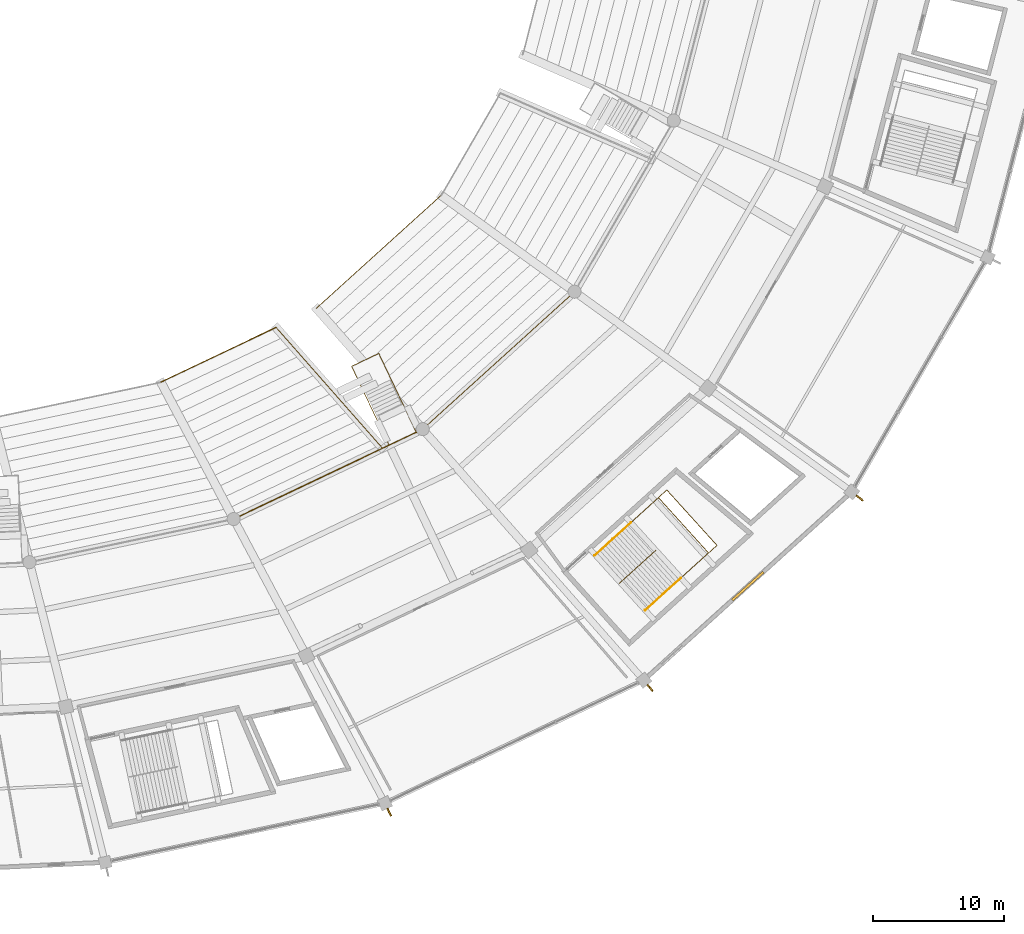
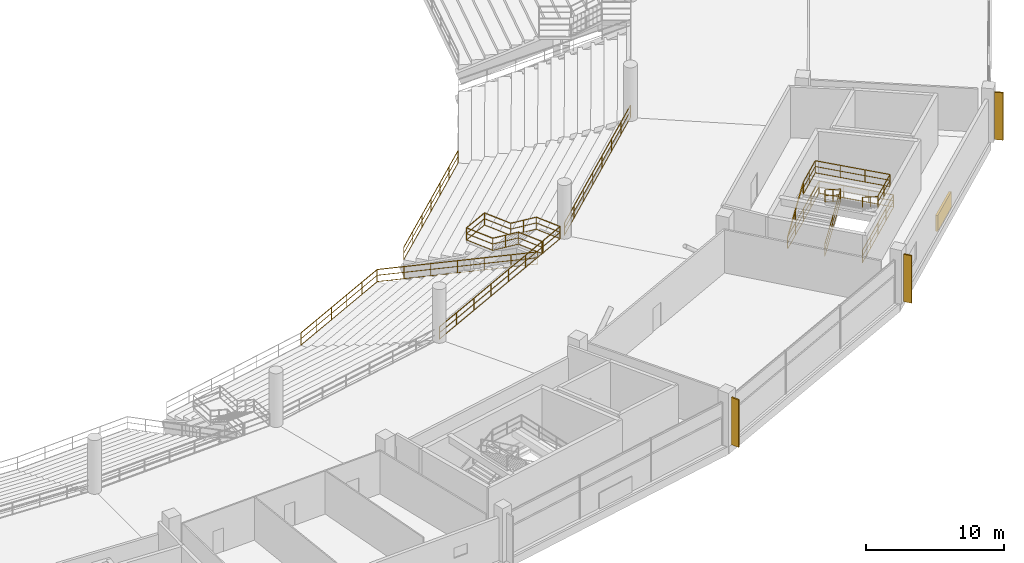
# One storey, part 148 of 156: 11 railings, 4 shading devices.
"""IFC4 building model written with IfcOpenShell, lengths in metres."""

from ifc_helpers import new_model, si_unit, direction, frame, origin, origin_2d, place, context, subcontext, project, spatial, rectangle, extrude, material, type_object, element, save


model = new_model("IFC4")

# Units and contexts
model_context = context("Model", 3, precision=1e-05, world=origin(), true_north=direction((0.0, 1.0)))
body_context = subcontext(model_context, "Body", "Model", "MODEL_VIEW")
ifc_project = project(units=[si_unit("LENGTHUNIT", "METRE"), si_unit("AREAUNIT", "SQUARE_METRE"), si_unit("VOLUMEUNIT", "CUBIC_METRE"), si_unit("PLANEANGLEUNIT", "RADIAN"), si_unit("MASSUNIT", "GRAM", prefix="KILO")], contexts=[model_context])

# Site, building, storey
site_placement = place(None, origin())
site = spatial("IfcSite", under=ifc_project, at=site_placement, CompositionType="ELEMENT")
building_placement = place(site_placement, origin())
building = spatial("IfcBuilding", under=site, at=building_placement, Name="Kazemori Nagisa Stadium", CompositionType="ELEMENT")
storey_placement = place(building_placement, frame((0.0, 0.0, 5.780029296875)))
storey = spatial("IfcBuildingStorey", under=building, at=storey_placement, Name="L01", CompositionType="ELEMENT", Elevation=5.780029296875)

# Shading devices
ifc_material_1 = material(Name="Aluminium 6063-T5 anodised", Category="aluminium")
shading_device_type_1 = type_object("IfcShadingDeviceType", Name="Fin_FN01", PredefinedType="USERDEFINED", material=ifc_material_1)
for number, where, z_axis, x_axis, name in (
    (1, (166.13232421875, 20.85546875, 0.0), (0.0, 0.0, 1.0), (0.433883739113, -0.900968867905, 0.0), "Aerodynamic wave shading fin L01-24"),
    (2, (186.068603515625, 30.350830078125, 0.0), (0.0, 0.0, 1.0), (0.623489801853, -0.781831482473, 0.0), "Aerodynamic wave shading fin L01-25"),
    (3, (202.085693359375, 44.861572265625, 0.0), (0.0, 0.0, 1.0), (0.781831482473, -0.623489801853, 0.0), "Aerodynamic wave shading fin L01-26"),
):
    element("IfcShadingDevice", number, at=place(storey_placement, frame(where, z_axis=z_axis, x_axis=x_axis)), inside=storey, type_object=shading_device_type_1, Name=name, ObjectType="FIN", PredefinedType="USERDEFINED", context=body_context, shape_type="SweptSolid", body=[
        extrude(rectangle(XDim=0.64990234375, YDim=0.1201171875, at=origin_2d()), origin(), (0.0, 0.0, 1.0), 4.199951171875),
    ])
shading_device_type_2 = type_object("IfcShadingDeviceType", Name="Louvre_LV01", PredefinedType="JALOUSIE", material=ifc_material_1)
shading_device_placement = place(storey_placement, frame((193.546630859375, 38.13671875, -0.010009765625), z_axis=(0.0, 0.0, 1.0), x_axis=(0.741350875443, 0.671117634607, 0.0)))
element("IfcShadingDevice", 4, at=shading_device_placement, inside=storey, type_object=shading_device_type_2, Name="Concourse ventilation louvre L01-B25", PredefinedType="JALOUSIE", context=body_context, shape_type="SweptSolid", body=[
    extrude(rectangle(XDim=3.199951171875, YDim=0.179931640625, at=origin_2d()), origin(), (0.0, 0.0, 1.0), 1.39990234375),
])

# Railings
ifc_material_2 = material(Name="Laminated safety glass and stainless steel SUS304", Category="steel")
railing_type_1 = type_object("IfcRailingType", Name="Rail_BAL", PredefinedType="BALUSTRADE", material=ifc_material_2)
railing_1_placement = place(storey_placement, frame((154.24755859375, 43.260986328125, 0.0)))
element("IfcRailing", 5, at=railing_1_placement, inside=storey, type_object=railing_type_1, Name="Concourse bowl balustrade L01-B24", PredefinedType="BALUSTRADE", context=body_context, shape_type="SweptSolid", body=[
    extrude(rectangle(XDim=0.050048828125, YDim=0.050048828125, at=origin_2d()), frame((0.0, 0.0, 1.09521484375), z_axis=(0.903211953517, 0.429194789139, 0.0), x_axis=(-0.429194789139, 0.903211953517, 0.0)), (0.0, 0.0, 1.0), 15.447265625),
    extrude(rectangle(XDim=0.03759765625, YDim=0.03759765625, at=origin_2d()), frame((0.0, 0.0, 0.58251953125), z_axis=(0.903211953517, 0.429194789139, 0.0), x_axis=(-0.429194789139, 0.903211953517, 0.0)), (0.0, 0.0, 1.0), 15.447265625),
    extrude(rectangle(XDim=0.03759765625, YDim=0.03759765625, at=origin_2d()), frame((0.0, 0.0, 0.02490234375), z_axis=(0.903211953517, 0.429194789139, 0.0), x_axis=(-0.429194789139, 0.903211953517, 0.0)), (0.0, 0.0, 1.0), 15.447265625),
    extrude(rectangle(XDim=0.044921875, YDim=0.044921875, at=origin_2d()), origin(), (0.0, 0.0, 1.0), 1.070068359375),
    extrude(rectangle(XDim=0.044921875, YDim=0.044921875, at=origin_2d()), frame((1.9931640625, 0.947021484375, 0.0)), (0.0, 0.0, 1.0), 1.070068359375),
    extrude(rectangle(XDim=0.044921875, YDim=0.044921875, at=origin_2d()), frame((3.986328125, 1.894287109375, 0.0)), (0.0, 0.0, 1.0), 1.070068359375),
    extrude(rectangle(XDim=0.044921875, YDim=0.044921875, at=origin_2d()), frame((5.9794921875, 2.84130859375, 0.0)), (0.0, 0.0, 1.0), 1.070068359375),
    extrude(rectangle(XDim=0.044921875, YDim=0.044921875, at=origin_2d()), frame((7.97265625, 3.78857421875, 0.0)), (0.0, 0.0, 1.0), 1.070068359375),
    extrude(rectangle(XDim=0.044921875, YDim=0.044921875, at=origin_2d()), frame((9.9658203125, 4.735595703125, 0.0)), (0.0, 0.0, 1.0), 1.070068359375),
    extrude(rectangle(XDim=0.044921875, YDim=0.044921875, at=origin_2d()), frame((11.958984375, 5.682861328125, 0.0)), (0.0, 0.0, 1.0), 1.070068359375),
    extrude(rectangle(XDim=0.044921875, YDim=0.044921875, at=origin_2d()), frame((13.9521484375, 6.6298828125, 0.0)), (0.0, 0.0, 1.0), 1.070068359375),
])
railing_2_placement = place(storey_placement, frame((168.696533203125, 50.126953125, 0.0)))
element("IfcRailing", 6, at=railing_2_placement, inside=storey, type_object=railing_type_1, Name="Concourse bowl balustrade L01-B25", PredefinedType="BALUSTRADE", context=body_context, shape_type="SweptSolid", body=[
    extrude(rectangle(XDim=0.050048828125, YDim=0.050048828125, at=origin_2d()), frame((0.0, 0.0, 1.09521484375), z_axis=(0.741349160152, 0.6711195294, 0.0), x_axis=(-0.6711195294, 0.741349160152, 0.0)), (0.0, 0.0, 1.0), 15.65380859375),
    extrude(rectangle(XDim=0.03759765625, YDim=0.03759765625, at=origin_2d()), frame((0.0, 0.0, 0.58251953125), z_axis=(0.741349160152, 0.6711195294, 0.0), x_axis=(-0.6711195294, 0.741349160152, 0.0)), (0.0, 0.0, 1.0), 15.65380859375),
    extrude(rectangle(XDim=0.03759765625, YDim=0.03759765625, at=origin_2d()), frame((0.0, 0.0, 0.02490234375), z_axis=(0.741349160152, 0.6711195294, 0.0), x_axis=(-0.6711195294, 0.741349160152, 0.0)), (0.0, 0.0, 1.0), 15.65380859375),
    extrude(rectangle(XDim=0.044921875, YDim=0.044921875, at=origin_2d()), origin(), (0.0, 0.0, 1.0), 1.070068359375),
    extrude(rectangle(XDim=0.044921875, YDim=0.044921875, at=origin_2d()), frame((1.657958984375, 1.500732421875, 0.0)), (0.0, 0.0, 1.0), 1.070068359375),
    extrude(rectangle(XDim=0.044921875, YDim=0.044921875, at=origin_2d()), frame((3.315673828125, 3.001708984375, 0.0)), (0.0, 0.0, 1.0), 1.070068359375),
    extrude(rectangle(XDim=0.044921875, YDim=0.044921875, at=origin_2d()), frame((4.9736328125, 4.50244140625, 0.0)), (0.0, 0.0, 1.0), 1.070068359375),
    extrude(rectangle(XDim=0.044921875, YDim=0.044921875, at=origin_2d()), frame((6.63134765625, 6.003173828125, 0.0)), (0.0, 0.0, 1.0), 1.070068359375),
    extrude(rectangle(XDim=0.044921875, YDim=0.044921875, at=origin_2d()), frame((8.289306640625, 7.50390625, 0.0)), (0.0, 0.0, 1.0), 1.070068359375),
    extrude(rectangle(XDim=0.044921875, YDim=0.044921875, at=origin_2d()), frame((9.947021484375, 9.0048828125, 0.0)), (0.0, 0.0, 1.0), 1.070068359375),
    extrude(rectangle(XDim=0.044921875, YDim=0.044921875, at=origin_2d()), frame((11.60498046875, 10.505615234375, 0.0)), (0.0, 0.0, 1.0), 1.070068359375),
])
ifc_material_3 = material(Name="Galvanised powder-coated steel", Category="steel")
railing_type_2 = type_object("IfcRailingType", Name="Rail_GUARD", PredefinedType="GUARDRAIL", material=ifc_material_3)
railing_3_placement = place(storey_placement, frame((181.87890625, 40.5205078125, 0.0)))
element("IfcRailing", 7, at=railing_3_placement, inside=storey, type_object=railing_type_2, Name="Stair well perimeter guard ST04-L01", PredefinedType="GUARDRAIL", context=body_context, shape_type="SweptSolid", body=[
    extrude(rectangle(XDim=0.050048828125, YDim=0.050048828125, at=origin_2d()), frame((0.0, 0.0, 1.09521484375), z_axis=(0.741350009176, 0.671118591528, 0.0), x_axis=(-0.671118591528, 0.741350009176, 0.0)), (0.0, 0.0, 1.0), 7.380126953125),
    extrude(rectangle(XDim=0.03759765625, YDim=0.03759765625, at=origin_2d()), frame((0.0, 0.0, 0.58251953125), z_axis=(0.741350009176, 0.671118591528, 0.0), x_axis=(-0.671118591528, 0.741350009176, 0.0)), (0.0, 0.0, 1.0), 7.380126953125),
    extrude(rectangle(XDim=0.03759765625, YDim=0.03759765625, at=origin_2d()), frame((0.0, 0.0, 0.02490234375), z_axis=(0.741350009176, 0.671118591528, 0.0), x_axis=(-0.671118591528, 0.741350009176, 0.0)), (0.0, 0.0, 1.0), 7.380126953125),
    extrude(rectangle(XDim=0.050048828125, YDim=0.050048828125, at=origin_2d()), frame((5.47119140625, 4.952880859375, 1.09521484375), z_axis=(0.671110696127, -0.741357156534, 0.0), x_axis=(0.741357156534, 0.671110696127, 0.0)), (0.0, 0.0, 1.0), 5.69970703125),
    extrude(rectangle(XDim=0.03759765625, YDim=0.03759765625, at=origin_2d()), frame((5.47119140625, 4.952880859375, 0.58251953125), z_axis=(0.671110696127, -0.741357156534, 0.0), x_axis=(0.741357156534, 0.671110696127, 0.0)), (0.0, 0.0, 1.0), 5.69970703125),
    extrude(rectangle(XDim=0.03759765625, YDim=0.03759765625, at=origin_2d()), frame((5.47119140625, 4.952880859375, 0.02490234375), z_axis=(0.671110696127, -0.741357156534, 0.0), x_axis=(0.741357156534, 0.671110696127, 0.0)), (0.0, 0.0, 1.0), 5.69970703125),
    extrude(rectangle(XDim=0.050048828125, YDim=0.050048828125, at=origin_2d()), frame((9.29638671875, 0.727294921875, 1.09521484375), z_axis=(-0.741350009176, -0.671118591528, 0.0), x_axis=(0.671118591528, -0.741350009176, 0.0)), (0.0, 0.0, 1.0), 7.380126953125),
    extrude(rectangle(XDim=0.03759765625, YDim=0.03759765625, at=origin_2d()), frame((9.29638671875, 0.727294921875, 0.58251953125), z_axis=(-0.741350009176, -0.671118591528, 0.0), x_axis=(0.671118591528, -0.741350009176, 0.0)), (0.0, 0.0, 1.0), 7.380126953125),
    extrude(rectangle(XDim=0.03759765625, YDim=0.03759765625, at=origin_2d()), frame((9.29638671875, 0.727294921875, 0.02490234375), z_axis=(-0.741350009176, -0.671118591528, 0.0), x_axis=(0.671118591528, -0.741350009176, 0.0)), (0.0, 0.0, 1.0), 7.380126953125),
    extrude(rectangle(XDim=0.044921875, YDim=0.044921875, at=origin_2d()), origin(), (0.0, 0.0, 1.0), 1.070068359375),
    extrude(rectangle(XDim=0.044921875, YDim=0.044921875, at=origin_2d()), frame((1.36767578125, 1.23828125, 0.0)), (0.0, 0.0, 1.0), 1.070068359375),
    extrude(rectangle(XDim=0.044921875, YDim=0.044921875, at=origin_2d()), frame((2.735595703125, 2.4765625, 0.0)), (0.0, 0.0, 1.0), 1.070068359375),
    extrude(rectangle(XDim=0.044921875, YDim=0.044921875, at=origin_2d()), frame((4.103515625, 3.714599609375, 0.0)), (0.0, 0.0, 1.0), 1.070068359375),
    extrude(rectangle(XDim=0.044921875, YDim=0.044921875, at=origin_2d()), frame((5.47119140625, 4.952880859375, 0.0)), (0.0, 0.0, 1.0), 1.070068359375),
    extrude(rectangle(XDim=0.044921875, YDim=0.044921875, at=origin_2d()), frame((6.746337890625, 3.54443359375, 0.0)), (0.0, 0.0, 1.0), 1.070068359375),
    extrude(rectangle(XDim=0.044921875, YDim=0.044921875, at=origin_2d()), frame((8.021240234375, 2.1357421875, 0.0)), (0.0, 0.0, 1.0), 1.070068359375),
    extrude(rectangle(XDim=0.044921875, YDim=0.044921875, at=origin_2d()), frame((9.29638671875, 0.727294921875, 0.0)), (0.0, 0.0, 1.0), 1.070068359375),
    extrude(rectangle(XDim=0.044921875, YDim=0.044921875, at=origin_2d()), frame((7.9287109375, -0.510986328125, 0.0)), (0.0, 0.0, 1.0), 1.070068359375),
    extrude(rectangle(XDim=0.044921875, YDim=0.044921875, at=origin_2d()), frame((6.560791015625, -1.7490234375, 0.0)), (0.0, 0.0, 1.0), 1.070068359375),
    extrude(rectangle(XDim=0.044921875, YDim=0.044921875, at=origin_2d()), frame((5.19287109375, -2.9873046875, 0.0)), (0.0, 0.0, 1.0), 1.070068359375),
    extrude(rectangle(XDim=0.044921875, YDim=0.044921875, at=origin_2d()), frame((3.8251953125, -4.2255859375, 0.0)), (0.0, 0.0, 1.0), 1.070068359375),
])
railing_4_placement = place(storey_placement, frame((183.732177734375, 38.35400390625, 0.0)))
element("IfcRailing", 8, at=railing_4_placement, inside=storey, type_object=railing_type_2, Name="Stair central guard ST04-L01", PredefinedType="GUARDRAIL", context=body_context, shape_type="SweptSolid", body=[
    extrude(rectangle(XDim=0.050048828125, YDim=0.050048828125, at=origin_2d()), frame((0.0, 0.0, 1.09521484375), z_axis=(0.626169043994, 0.566858171558, 0.535335541208), x_axis=(-0.671124405314, 0.741344746114, 0.0)), (0.0, 0.0, 1.0), 4.445556640625),
    extrude(rectangle(XDim=0.03759765625, YDim=0.03759765625, at=origin_2d()), frame((0.0, 0.0, 0.58251953125), z_axis=(0.626169043994, 0.566858171558, 0.535335541208), x_axis=(-0.671124405314, 0.741344746114, 0.0)), (0.0, 0.0, 1.0), 4.445556640625),
    extrude(rectangle(XDim=0.03759765625, YDim=0.03759765625, at=origin_2d()), frame((0.0, 0.0, 0.02490234375), z_axis=(0.626169043994, 0.566858171558, 0.535335541208), x_axis=(-0.671124405314, 0.741344746114, 0.0)), (0.0, 0.0, 1.0), 4.445556640625),
    extrude(rectangle(XDim=0.050048828125, YDim=0.050048828125, at=origin_2d()), frame((2.78369140625, 2.52001953125, 3.47509765625), z_axis=(-0.622237228322, -0.5632978296, 0.543614189346), x_axis=(0.671123784078, -0.741345308506, 0.0)), (0.0, 0.0, 1.0), 4.37841796875),
    extrude(rectangle(XDim=0.03759765625, YDim=0.03759765625, at=origin_2d()), frame((2.78369140625, 2.52001953125, 2.96240234375), z_axis=(-0.622237228322, -0.5632978296, 0.543614189346), x_axis=(0.671123784078, -0.741345308506, 0.0)), (0.0, 0.0, 1.0), 4.37841796875),
    extrude(rectangle(XDim=0.03759765625, YDim=0.03759765625, at=origin_2d()), frame((2.78369140625, 2.52001953125, 2.40478515625), z_axis=(-0.622237228322, -0.5632978296, 0.543614189346), x_axis=(0.671123784078, -0.741345308506, 0.0)), (0.0, 0.0, 1.0), 4.37841796875),
    extrude(rectangle(XDim=0.044921875, YDim=0.044921875, at=origin_2d()), origin(), (0.0, 0.0, 1.0), 1.070068359375),
    extrude(rectangle(XDim=0.044921875, YDim=0.044921875, at=origin_2d()), frame((1.391845703125, 1.260009765625, 1.18994140625)), (0.0, 0.0, 1.0), 1.070068359375),
    extrude(rectangle(XDim=0.044921875, YDim=0.044921875, at=origin_2d()), frame((2.78369140625, 2.52001953125, 2.3798828125)), (0.0, 0.0, 1.0), 1.070068359375),
    extrude(rectangle(XDim=0.044921875, YDim=0.044921875, at=origin_2d()), frame((1.42138671875, 1.286865234375, 3.56982421875)), (0.0, 0.0, 1.0), 1.070068359375),
    extrude(rectangle(XDim=0.044921875, YDim=0.044921875, at=origin_2d()), frame((0.059326171875, 0.0537109375, 4.760009765625)), (0.0, 0.0, 1.0), 1.070068359375),
])
railing_5_placement = place(storey_placement, frame((184.603271484375, 42.98681640625, 2.3798828125)))
element("IfcRailing", 9, at=railing_5_placement, inside=storey, type_object=railing_type_2, Name="Stair landing guard ST04-L01", PredefinedType="GUARDRAIL", context=body_context, shape_type="SweptSolid", body=[
    extrude(rectangle(XDim=0.050048828125, YDim=0.050048828125, at=origin_2d()), frame((0.0, 0.0, 1.09521484375), z_axis=(0.741314535645, 0.671157775223, 0.0), x_axis=(-0.671157775223, 0.741314535645, 0.0)), (0.0, 0.0, 1.0), 2.85009765625),
    extrude(rectangle(XDim=0.03759765625, YDim=0.03759765625, at=origin_2d()), frame((0.0, 0.0, 0.58251953125), z_axis=(0.741314535645, 0.671157775223, 0.0), x_axis=(-0.671157775223, 0.741314535645, 0.0)), (0.0, 0.0, 1.0), 2.85009765625),
    extrude(rectangle(XDim=0.03759765625, YDim=0.03759765625, at=origin_2d()), frame((0.0, 0.0, 0.02490234375), z_axis=(0.741314535645, 0.671157775223, 0.0), x_axis=(-0.671157775223, 0.741314535645, 0.0)), (0.0, 0.0, 1.0), 2.85009765625),
    extrude(rectangle(XDim=0.050048828125, YDim=0.050048828125, at=origin_2d()), frame((2.11279296875, 1.912841796875, 1.09521484375), z_axis=(0.671112926645, -0.74135513736, 0.0), x_axis=(0.74135513736, 0.671112926645, 0.0)), (0.0, 0.0, 1.0), 5.7001953125),
    extrude(rectangle(XDim=0.03759765625, YDim=0.03759765625, at=origin_2d()), frame((2.11279296875, 1.912841796875, 0.58251953125), z_axis=(0.671112926645, -0.74135513736, 0.0), x_axis=(0.74135513736, 0.671112926645, 0.0)), (0.0, 0.0, 1.0), 5.7001953125),
    extrude(rectangle(XDim=0.03759765625, YDim=0.03759765625, at=origin_2d()), frame((2.11279296875, 1.912841796875, 0.02490234375), z_axis=(0.671112926645, -0.74135513736, 0.0), x_axis=(0.74135513736, 0.671112926645, 0.0)), (0.0, 0.0, 1.0), 5.7001953125),
    extrude(rectangle(XDim=0.050048828125, YDim=0.050048828125, at=origin_2d()), frame((5.938232421875, -2.31298828125, 1.09521484375), z_axis=(-0.741357156534, -0.671110696127, 0.0), x_axis=(0.671110696127, -0.741357156534, 0.0)), (0.0, 0.0, 1.0), 2.849853515625),
    extrude(rectangle(XDim=0.03759765625, YDim=0.03759765625, at=origin_2d()), frame((5.938232421875, -2.31298828125, 0.58251953125), z_axis=(-0.741357156534, -0.671110696127, 0.0), x_axis=(0.671110696127, -0.741357156534, 0.0)), (0.0, 0.0, 1.0), 2.849853515625),
    extrude(rectangle(XDim=0.03759765625, YDim=0.03759765625, at=origin_2d()), frame((5.938232421875, -2.31298828125, 0.02490234375), z_axis=(-0.741357156534, -0.671110696127, 0.0), x_axis=(0.671110696127, -0.741357156534, 0.0)), (0.0, 0.0, 1.0), 2.849853515625),
    extrude(rectangle(XDim=0.044921875, YDim=0.044921875, at=origin_2d()), origin(), (0.0, 0.0, 1.0), 1.070068359375),
    extrude(rectangle(XDim=0.044921875, YDim=0.044921875, at=origin_2d()), frame((1.056396484375, 0.95654296875, 0.0)), (0.0, 0.0, 1.0), 1.070068359375),
    extrude(rectangle(XDim=0.044921875, YDim=0.044921875, at=origin_2d()), frame((2.11279296875, 1.912841796875, 0.0)), (0.0, 0.0, 1.0), 1.070068359375),
    extrude(rectangle(XDim=0.044921875, YDim=0.044921875, at=origin_2d()), frame((3.387939453125, 0.504150390625, 0.0)), (0.0, 0.0, 1.0), 1.070068359375),
    extrude(rectangle(XDim=0.044921875, YDim=0.044921875, at=origin_2d()), frame((4.6630859375, -0.904296875, 0.0)), (0.0, 0.0, 1.0), 1.070068359375),
    extrude(rectangle(XDim=0.044921875, YDim=0.044921875, at=origin_2d()), frame((5.938232421875, -2.31298828125, 0.0)), (0.0, 0.0, 1.0), 1.070068359375),
    extrude(rectangle(XDim=0.044921875, YDim=0.044921875, at=origin_2d()), frame((4.8818359375, -3.269287109375, 0.0)), (0.0, 0.0, 1.0), 1.070068359375),
    extrude(rectangle(XDim=0.044921875, YDim=0.044921875, at=origin_2d()), frame((3.825439453125, -4.2255859375, 0.0)), (0.0, 0.0, 1.0), 1.070068359375),
])
railing_6_placement = place(storey_placement, frame((168.19970703125, 49.890869140625, 0.0)))
element("IfcRailing", 10, at=railing_6_placement, inside=storey, type_object=railing_type_2, Name="Vomitory stair guard VL10", PredefinedType="GUARDRAIL", context=body_context, shape_type="SweptSolid", body=[
    extrude(rectangle(XDim=0.050048828125, YDim=0.050048828125, at=origin_2d()), frame((0.0, 0.0, 1.09521484375), z_axis=(-0.429125586767, 0.903244834351, 0.0), x_axis=(-0.903244834351, -0.429125586767, 0.0)), (0.0, 0.0, 1.0), 2.099853515625),
    extrude(rectangle(XDim=0.03759765625, YDim=0.03759765625, at=origin_2d()), frame((0.0, 0.0, 0.58251953125), z_axis=(-0.429125586767, 0.903244834351, 0.0), x_axis=(-0.903244834351, -0.429125586767, 0.0)), (0.0, 0.0, 1.0), 2.099853515625),
    extrude(rectangle(XDim=0.03759765625, YDim=0.03759765625, at=origin_2d()), frame((0.0, 0.0, 0.02490234375), z_axis=(-0.429125586767, 0.903244834351, 0.0), x_axis=(-0.903244834351, -0.429125586767, 0.0)), (0.0, 0.0, 1.0), 2.099853515625),
    extrude(rectangle(XDim=0.050048828125, YDim=0.050048828125, at=origin_2d()), frame((-0.901123046875, 1.896728515625, 1.09521484375), z_axis=(-0.361545771812, 0.760744945543, -0.539028554639), x_axis=(-0.903189176836, -0.429242717872, 0.0)), (0.0, 0.0, 1.0), 2.67138671875),
    extrude(rectangle(XDim=0.03759765625, YDim=0.03759765625, at=origin_2d()), frame((-0.901123046875, 1.896728515625, 0.58251953125), z_axis=(-0.361545771812, 0.760744945543, -0.539028554639), x_axis=(-0.903189176836, -0.429242717872, 0.0)), (0.0, 0.0, 1.0), 2.67138671875),
    extrude(rectangle(XDim=0.03759765625, YDim=0.03759765625, at=origin_2d()), frame((-0.901123046875, 1.896728515625, 0.02490234375), z_axis=(-0.361545771812, 0.760744945543, -0.539028554639), x_axis=(-0.903189176836, -0.429242717872, 0.0)), (0.0, 0.0, 1.0), 2.67138671875),
    extrude(rectangle(XDim=0.050048828125, YDim=0.050048828125, at=origin_2d()), frame((-1.866943359375, 3.928955078125, -0.3447265625), z_axis=(-0.429149114486, 0.903233656113, 0.0), x_axis=(-0.903233656113, -0.429149114486, 0.0)), (0.0, 0.0, 1.0), 2.320068359375),
    extrude(rectangle(XDim=0.03759765625, YDim=0.03759765625, at=origin_2d()), frame((-1.866943359375, 3.928955078125, -0.857421875), z_axis=(-0.429149114486, 0.903233656113, 0.0), x_axis=(-0.903233656113, -0.429149114486, 0.0)), (0.0, 0.0, 1.0), 2.320068359375),
    extrude(rectangle(XDim=0.03759765625, YDim=0.03759765625, at=origin_2d()), frame((-1.866943359375, 3.928955078125, -1.4150390625), z_axis=(-0.429149114486, 0.903233656113, 0.0), x_axis=(-0.903233656113, -0.429149114486, 0.0)), (0.0, 0.0, 1.0), 2.320068359375),
    extrude(rectangle(XDim=0.050048828125, YDim=0.050048828125, at=origin_2d()), frame((-2.862548828125, 6.0244140625, -0.3447265625), z_axis=(-0.903227102767, -0.429162907097, 0.0), x_axis=(0.429162907097, -0.903227102767, 0.0)), (0.0, 0.0, 1.0), 2.300048828125),
    extrude(rectangle(XDim=0.03759765625, YDim=0.03759765625, at=origin_2d()), frame((-2.862548828125, 6.0244140625, -0.857421875), z_axis=(-0.903227102767, -0.429162907097, 0.0), x_axis=(0.429162907097, -0.903227102767, 0.0)), (0.0, 0.0, 1.0), 2.300048828125),
    extrude(rectangle(XDim=0.03759765625, YDim=0.03759765625, at=origin_2d()), frame((-2.862548828125, 6.0244140625, -1.4150390625), z_axis=(-0.903227102767, -0.429162907097, 0.0), x_axis=(0.429162907097, -0.903227102767, 0.0)), (0.0, 0.0, 1.0), 2.300048828125),
    extrude(rectangle(XDim=0.050048828125, YDim=0.050048828125, at=origin_2d()), frame((-4.93994140625, 5.037353515625, -0.3447265625), z_axis=(0.429149114486, -0.903233656113, 0.0), x_axis=(0.903233656113, 0.429149114486, 0.0)), (0.0, 0.0, 1.0), 2.320068359375),
    extrude(rectangle(XDim=0.03759765625, YDim=0.03759765625, at=origin_2d()), frame((-4.93994140625, 5.037353515625, -0.857421875), z_axis=(0.429149114486, -0.903233656113, 0.0), x_axis=(0.903233656113, 0.429149114486, 0.0)), (0.0, 0.0, 1.0), 2.320068359375),
    extrude(rectangle(XDim=0.03759765625, YDim=0.03759765625, at=origin_2d()), frame((-4.93994140625, 5.037353515625, -1.4150390625), z_axis=(0.429149114486, -0.903233656113, 0.0), x_axis=(0.903233656113, 0.429149114486, 0.0)), (0.0, 0.0, 1.0), 2.320068359375),
    extrude(rectangle(XDim=0.050048828125, YDim=0.050048828125, at=origin_2d()), frame((-3.9443359375, 2.94189453125, -0.3447265625), z_axis=(0.361466322427, -0.760770080375, 0.539046364014), x_axis=(0.903231240177, 0.429154199291, 0.0)), (0.0, 0.0, 1.0), 2.67138671875),
    extrude(rectangle(XDim=0.03759765625, YDim=0.03759765625, at=origin_2d()), frame((-3.9443359375, 2.94189453125, -0.857421875), z_axis=(0.361466322427, -0.760770080375, 0.539046364014), x_axis=(0.903231240177, 0.429154199291, 0.0)), (0.0, 0.0, 1.0), 2.67138671875),
    extrude(rectangle(XDim=0.03759765625, YDim=0.03759765625, at=origin_2d()), frame((-3.9443359375, 2.94189453125, -1.4150390625), z_axis=(0.361466322427, -0.760770080375, 0.539046364014), x_axis=(0.903231240177, 0.429154199291, 0.0)), (0.0, 0.0, 1.0), 2.67138671875),
    extrude(rectangle(XDim=0.050048828125, YDim=0.050048828125, at=origin_2d()), frame((-2.978759765625, 0.90966796875, 1.09521484375), z_axis=(0.429220432726, -0.903199767565, 0.0), x_axis=(0.903199767565, 0.429220432726, 0.0)), (0.0, 0.0, 1.0), 2.10009765625),
    extrude(rectangle(XDim=0.03759765625, YDim=0.03759765625, at=origin_2d()), frame((-2.978759765625, 0.90966796875, 0.58251953125), z_axis=(0.429220432726, -0.903199767565, 0.0), x_axis=(0.903199767565, 0.429220432726, 0.0)), (0.0, 0.0, 1.0), 2.10009765625),
    extrude(rectangle(XDim=0.03759765625, YDim=0.03759765625, at=origin_2d()), frame((-2.978759765625, 0.90966796875, 0.02490234375), z_axis=(0.429220432726, -0.903199767565, 0.0), x_axis=(0.903199767565, 0.429220432726, 0.0)), (0.0, 0.0, 1.0), 2.10009765625),
    extrude(rectangle(XDim=0.044921875, YDim=0.044921875, at=origin_2d()), origin(), (0.0, 0.0, 1.0), 1.070068359375),
    extrude(rectangle(XDim=0.044921875, YDim=0.044921875, at=origin_2d()), frame((-0.901123046875, 1.896728515625, 0.0)), (0.0, 0.0, 1.0), 1.070068359375),
    extrude(rectangle(XDim=0.044921875, YDim=0.044921875, at=origin_2d()), frame((-1.384033203125, 2.912841796875, -0.719970703125)), (0.0, 0.0, 1.0), 1.070068359375),
    extrude(rectangle(XDim=0.044921875, YDim=0.044921875, at=origin_2d()), frame((-1.866943359375, 3.928955078125, -1.43994140625)), (0.0, 0.0, 1.0), 1.070068359375),
    extrude(rectangle(XDim=0.044921875, YDim=0.044921875, at=origin_2d()), frame((-2.862548828125, 6.0244140625, -1.43994140625)), (0.0, 0.0, 1.0), 1.070068359375),
    extrude(rectangle(XDim=0.044921875, YDim=0.044921875, at=origin_2d()), frame((-4.93994140625, 5.037353515625, -1.43994140625)), (0.0, 0.0, 1.0), 1.070068359375),
    extrude(rectangle(XDim=0.044921875, YDim=0.044921875, at=origin_2d()), frame((-3.9443359375, 2.94189453125, -1.43994140625)), (0.0, 0.0, 1.0), 1.070068359375),
    extrude(rectangle(XDim=0.044921875, YDim=0.044921875, at=origin_2d()), frame((-3.46142578125, 1.92578125, -0.719970703125)), (0.0, 0.0, 1.0), 1.070068359375),
    extrude(rectangle(XDim=0.044921875, YDim=0.044921875, at=origin_2d()), frame((-2.978759765625, 0.90966796875, 0.0)), (0.0, 0.0, 1.0), 1.070068359375),
    extrude(rectangle(XDim=0.044921875, YDim=0.044921875, at=origin_2d()), frame((-2.077392578125, -0.987060546875, 0.0)), (0.0, 0.0, 1.0), 1.070068359375),
])
railing_7_placement = place(storey_placement, frame((148.682861328125, 53.721435546875, -4.919921875)))
element("IfcRailing", 11, at=railing_7_placement, inside=storey, type_object=railing_type_2, Name="Lower tier pitch-side crowd barrier B24", PredefinedType="GUARDRAIL", context=body_context, shape_type="SweptSolid", body=[
    extrude(rectangle(XDim=0.050048828125, YDim=0.050048828125, at=origin_2d()), frame((0.0, 0.0, 1.09521484375), z_axis=(0.903218046108, 0.429181967452, 0.0), x_axis=(-0.429181967452, 0.903218046108, 0.0)), (0.0, 0.0, 1.0), 9.748291015625),
    extrude(rectangle(XDim=0.03759765625, YDim=0.03759765625, at=origin_2d()), frame((0.0, 0.0, 0.58251953125), z_axis=(0.903218046108, 0.429181967452, 0.0), x_axis=(-0.429181967452, 0.903218046108, 0.0)), (0.0, 0.0, 1.0), 9.748291015625),
    extrude(rectangle(XDim=0.03759765625, YDim=0.03759765625, at=origin_2d()), frame((0.0, 0.0, 0.02490234375), z_axis=(0.903218046108, 0.429181967452, 0.0), x_axis=(-0.429181967452, 0.903218046108, 0.0)), (0.0, 0.0, 1.0), 9.748291015625),
    extrude(rectangle(XDim=0.044921875, YDim=0.044921875, at=origin_2d()), origin(), (0.0, 0.0, 1.0), 1.070068359375),
    extrude(rectangle(XDim=0.044921875, YDim=0.044921875, at=origin_2d()), frame((1.760986328125, 0.836669921875, 0.0)), (0.0, 0.0, 1.0), 1.070068359375),
    extrude(rectangle(XDim=0.044921875, YDim=0.044921875, at=origin_2d()), frame((3.52197265625, 1.673583984375, 0.0)), (0.0, 0.0, 1.0), 1.070068359375),
    extrude(rectangle(XDim=0.044921875, YDim=0.044921875, at=origin_2d()), frame((5.282958984375, 2.51025390625, 0.0)), (0.0, 0.0, 1.0), 1.070068359375),
    extrude(rectangle(XDim=0.044921875, YDim=0.044921875, at=origin_2d()), frame((7.0439453125, 3.34716796875, 0.0)), (0.0, 0.0, 1.0), 1.070068359375),
    extrude(rectangle(XDim=0.044921875, YDim=0.044921875, at=origin_2d()), frame((8.804931640625, 4.183837890625, 0.0)), (0.0, 0.0, 1.0), 1.070068359375),
])
railing_8_placement = place(storey_placement, frame((157.48779296875, 57.9052734375, -4.919921875)))
element("IfcRailing", 12, at=railing_8_placement, inside=storey, type_object=railing_type_2, Name="Lower tier vomitory aisle guard B24", PredefinedType="GUARDRAIL", context=body_context, shape_type="SweptSolid", body=[
    extrude(rectangle(XDim=0.050048828125, YDim=0.050048828125, at=origin_2d()), frame((0.0, 0.0, 1.09521484375), z_axis=(0.623737938068, -0.70803949246, 0.331105816518), x_axis=(0.750364849943, 0.66102389667, 0.0)), (0.0, 0.0, 1.0), 13.046630859375),
    extrude(rectangle(XDim=0.03759765625, YDim=0.03759765625, at=origin_2d()), frame((0.0, 0.0, 0.58251953125), z_axis=(0.623737938068, -0.70803949246, 0.331105816518), x_axis=(0.750364849943, 0.66102389667, 0.0)), (0.0, 0.0, 1.0), 13.046630859375),
    extrude(rectangle(XDim=0.03759765625, YDim=0.03759765625, at=origin_2d()), frame((0.0, 0.0, 0.02490234375), z_axis=(0.623737938068, -0.70803949246, 0.331105816518), x_axis=(0.750364849943, 0.66102389667, 0.0)), (0.0, 0.0, 1.0), 13.046630859375),
    extrude(rectangle(XDim=0.044921875, YDim=0.044921875, at=origin_2d()), origin(), (0.0, 0.0, 1.0), 1.070068359375),
    extrude(rectangle(XDim=0.044921875, YDim=0.044921875, at=origin_2d()), frame((1.356201171875, -1.53955078125, 0.719970703125)), (0.0, 0.0, 1.0), 1.070068359375),
    extrude(rectangle(XDim=0.044921875, YDim=0.044921875, at=origin_2d()), frame((2.712646484375, -3.0791015625, 1.43994140625)), (0.0, 0.0, 1.0), 1.070068359375),
    extrude(rectangle(XDim=0.044921875, YDim=0.044921875, at=origin_2d()), frame((4.06884765625, -4.61865234375, 2.159912109375)), (0.0, 0.0, 1.0), 1.070068359375),
    extrude(rectangle(XDim=0.044921875, YDim=0.044921875, at=origin_2d()), frame((5.425048828125, -6.158447265625, 2.8798828125)), (0.0, 0.0, 1.0), 1.070068359375),
    extrude(rectangle(XDim=0.044921875, YDim=0.044921875, at=origin_2d()), frame((6.781494140625, -7.697998046875, 3.599853515625)), (0.0, 0.0, 1.0), 1.070068359375),
    extrude(rectangle(XDim=0.044921875, YDim=0.044921875, at=origin_2d()), frame((8.1376953125, -9.237548828125, 4.31982421875)), (0.0, 0.0, 1.0), 1.070068359375),
])
railing_9_placement = place(storey_placement, frame((160.558837890625, 59.364501953125, -4.919921875)))
element("IfcRailing", 13, at=railing_9_placement, inside=storey, type_object=railing_type_2, Name="Lower tier pitch-side crowd barrier B25", PredefinedType="GUARDRAIL", context=body_context, shape_type="SweptSolid", body=[
    extrude(rectangle(XDim=0.050048828125, YDim=0.050048828125, at=origin_2d()), frame((0.0, 0.0, 1.09521484375), z_axis=(0.741338850776, 0.67113091743, 0.0), x_axis=(-0.67113091743, 0.741338850776, 0.0)), (0.0, 0.0, 1.0), 12.866455078125),
    extrude(rectangle(XDim=0.03759765625, YDim=0.03759765625, at=origin_2d()), frame((0.0, 0.0, 0.58251953125), z_axis=(0.741338850776, 0.67113091743, 0.0), x_axis=(-0.67113091743, 0.741338850776, 0.0)), (0.0, 0.0, 1.0), 12.866455078125),
    extrude(rectangle(XDim=0.03759765625, YDim=0.03759765625, at=origin_2d()), frame((0.0, 0.0, 0.02490234375), z_axis=(0.741338850776, 0.67113091743, 0.0), x_axis=(-0.67113091743, 0.741338850776, 0.0)), (0.0, 0.0, 1.0), 12.866455078125),
    extrude(rectangle(XDim=0.044921875, YDim=0.044921875, at=origin_2d()), origin(), (0.0, 0.0, 1.0), 1.070068359375),
    extrude(rectangle(XDim=0.044921875, YDim=0.044921875, at=origin_2d()), frame((1.58984375, 1.439208984375, 0.0)), (0.0, 0.0, 1.0), 1.070068359375),
    extrude(rectangle(XDim=0.044921875, YDim=0.044921875, at=origin_2d()), frame((3.179443359375, 2.87841796875, 0.0)), (0.0, 0.0, 1.0), 1.070068359375),
    extrude(rectangle(XDim=0.044921875, YDim=0.044921875, at=origin_2d()), frame((4.76904296875, 4.3173828125, 0.0)), (0.0, 0.0, 1.0), 1.070068359375),
    extrude(rectangle(XDim=0.044921875, YDim=0.044921875, at=origin_2d()), frame((6.35888671875, 5.756591796875, 0.0)), (0.0, 0.0, 1.0), 1.070068359375),
    extrude(rectangle(XDim=0.044921875, YDim=0.044921875, at=origin_2d()), frame((7.94873046875, 7.19580078125, 0.0)), (0.0, 0.0, 1.0), 1.070068359375),
    extrude(rectangle(XDim=0.044921875, YDim=0.044921875, at=origin_2d()), frame((9.538330078125, 8.635009765625, 0.0)), (0.0, 0.0, 1.0), 1.070068359375),
])
ifc_material_4 = material(Name="Stainless steel SUS304", Category="steel")
railing_type_3 = type_object("IfcRailingType", Name="Rail_HAND", PredefinedType="HANDRAIL", material=ifc_material_4)
railing_10_placement = place(storey_placement, frame((181.819580078125, 40.466796875, 0.169921875)))
element("IfcRailing", 14, at=railing_10_placement, inside=storey, type_object=railing_type_3, Name="Stair handrail ST04-L01-F1", PredefinedType="HANDRAIL", context=body_context, shape_type="SweptSolid", body=[
    extrude(rectangle(XDim=0.050048828125, YDim=0.050048828125, at=origin_2d()), frame((0.0, 0.0, 0.875), z_axis=(0.626150634945, 0.566841506219, 0.535374718478), x_axis=(-0.671124405314, 0.741344746114, 0.0)), (0.0, 0.0, 1.0), 4.44580078125),
    extrude(rectangle(XDim=0.044921875, YDim=0.044921875, at=origin_2d()), origin(), (0.0, 0.0, 1.0), 0.849853515625),
    extrude(rectangle(XDim=0.044921875, YDim=0.044921875, at=origin_2d()), frame((1.391845703125, 1.260009765625, 1.18994140625)), (0.0, 0.0, 1.0), 0.849853515625),
    extrude(rectangle(XDim=0.044921875, YDim=0.044921875, at=origin_2d()), frame((2.78369140625, 2.52001953125, 2.380126953125)), (0.0, 0.0, 1.0), 0.849853515625),
])
railing_11_placement = place(storey_placement, frame((188.4287109375, 38.76123046875, 2.550048828125)))
element("IfcRailing", 15, at=railing_11_placement, inside=storey, type_object=railing_type_3, Name="Stair handrail ST04-L01-F2", PredefinedType="HANDRAIL", context=body_context, shape_type="SweptSolid", body=[
    extrude(rectangle(XDim=0.050048828125, YDim=0.050048828125, at=origin_2d()), frame((0.0, 0.0, 0.875), z_axis=(-0.62229025923, -0.56329535831, 0.543556043636), x_axis=(0.671090731464, -0.741375228978, 0.0)), (0.0, 0.0, 1.0), 4.37841796875),
    extrude(rectangle(XDim=0.044921875, YDim=0.044921875, at=origin_2d()), origin(), (0.0, 0.0, 1.0), 0.849853515625),
    extrude(rectangle(XDim=0.044921875, YDim=0.044921875, at=origin_2d()), frame((-1.3623046875, -1.233154296875, 1.18994140625)), (0.0, 0.0, 1.0), 0.849853515625),
    extrude(rectangle(XDim=0.044921875, YDim=0.044921875, at=origin_2d()), frame((-2.724609375, -2.46630859375, 2.3798828125)), (0.0, 0.0, 1.0), 0.849853515625),
])

save(model, "model.ifc")
